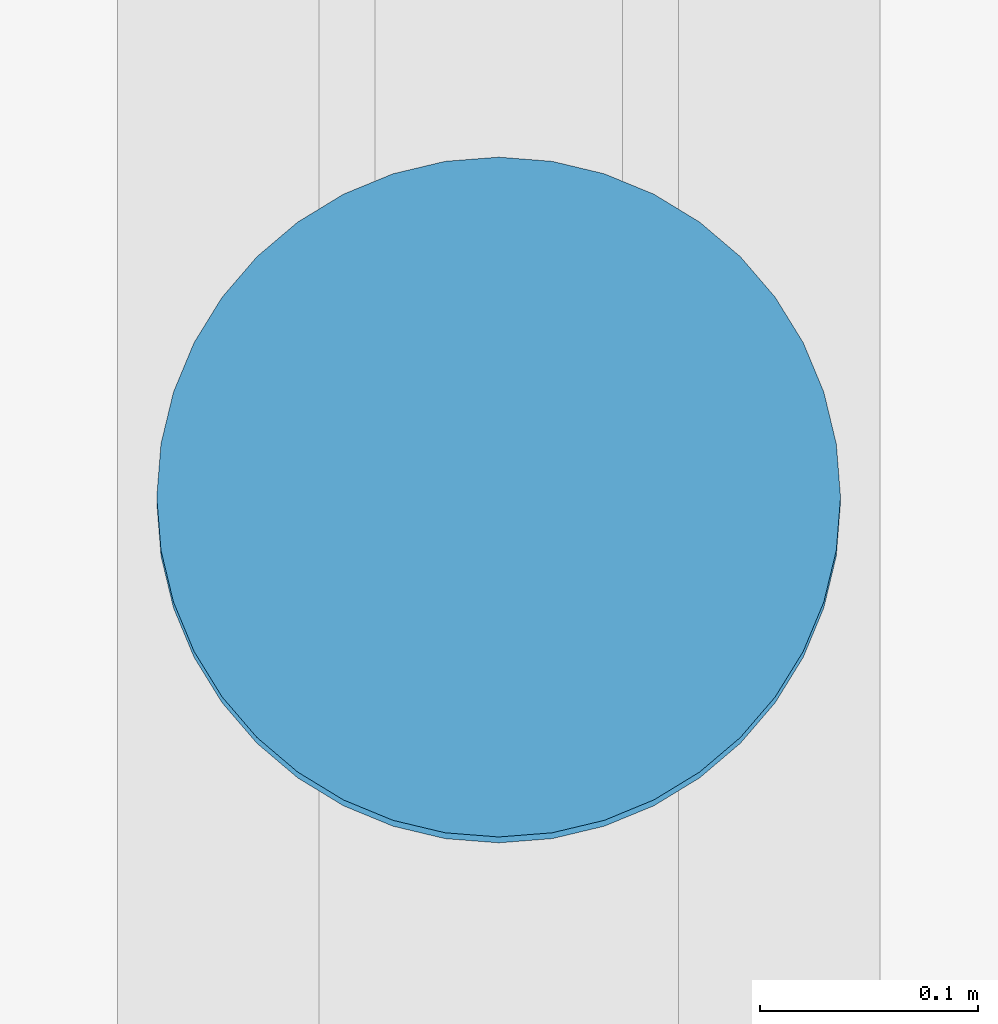
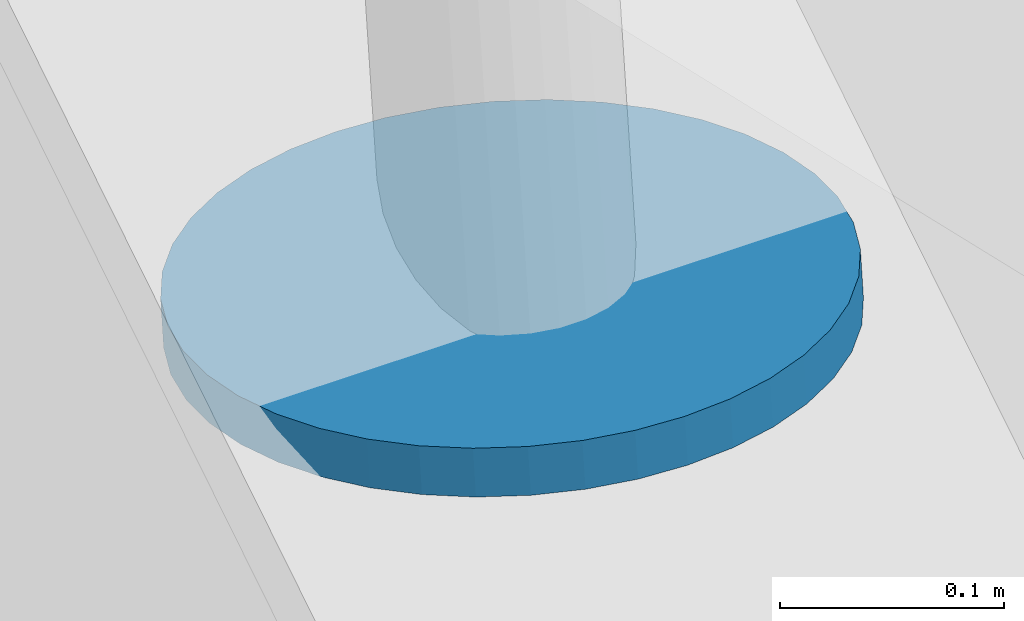
# One storey, part 16 of 25: 1 discrete accessory.
"""IFC4 building model written with IfcOpenShell, lengths in metres."""

import ifcopenshell
import ifcopenshell.guid

model = None  # the IFC model being written
_history = None  # IfcOwnerHistory: only IFC2X3 demands one
_inside = {}  # id of a spatial element -> (the spatial element, [elements in it])
_under = {}  # id of a project, library or spatial element -> (it, [spatial elements below it])
_declared = {}  # id of a project -> (the project, [libraries it declares])
_typed = {}  # id of a type object -> (the type object, [elements of that type])
_made_of = {}  # id of a material, layer set ... -> (it, [elements and type objects made of it])


def new_model(schema):
    """Start an empty IFC model of exactly this schema.

    Asked for "IFC4X3", IfcOpenShell would pick the latest addendum, in which some entities
    have other attributes; the version numbers below select the first issue.
    IFC2X3 requires an IfcOwnerHistory on every rooted entity: one is made here for all.
    """
    global model, _history
    if schema == "IFC4X3":
        model = ifcopenshell.file(schema_version=(4, 3, 0, 0))
    else:
        model = ifcopenshell.file(schema=schema)
    _inside.clear()
    _under.clear()
    _declared.clear()
    _typed.clear()
    _made_of.clear()
    _history = None
    if model.schema == "IFC2X3":
        org = make("IfcOrganization", Name="unknown")
        user = make(
            "IfcPersonAndOrganization",
            ThePerson=make("IfcPerson", FamilyName="unknown"),
            TheOrganization=org,
        )
        app = make(
            "IfcApplication",
            ApplicationDeveloper=org,
            Version="unknown",
            ApplicationFullName="unknown",
            ApplicationIdentifier="unknown",
        )
        _history = make(
            "IfcOwnerHistory",
            OwningUser=user,
            OwningApplication=app,
            ChangeAction="ADDED",
            CreationDate=0,
        )
    return model


def make(cls, **values):
    """One entity of the class cls with the attributes given. An attribute that is None is left unset."""
    return model.create_entity(
        cls, **{name: value for name, value in values.items() if value is not None}
    )


def rooted(cls, **values):
    """An entity with a GlobalId (a new one), such as an element, a storey or a relation."""
    return make(cls, GlobalId=ifcopenshell.guid.new(), OwnerHistory=_history, **values)


def si_unit(unit_type, name, prefix=None):
    """IfcSIUnit, for example si_unit("LENGTHUNIT", "METRE", prefix="MILLI")."""
    return make("IfcSIUnit", UnitType=unit_type, Prefix=prefix, Name=name)


def assignment(units):
    """IfcUnitAssignment: the units of a project."""
    return None if units is None else make("IfcUnitAssignment", Units=units)


def point(xyz):
    """IfcCartesianPoint."""
    return None if xyz is None else make("IfcCartesianPoint", Coordinates=xyz)


def direction(xyz):
    """IfcDirection."""
    return None if xyz is None else make("IfcDirection", DirectionRatios=xyz)


def frame(location, z_axis=None, x_axis=None):
    """IfcAxis2Placement3D, a coordinate frame: its origin and axes. An axis left out is left unset."""
    return make(
        "IfcAxis2Placement3D",
        Location=point(location),
        Axis=direction(z_axis),
        RefDirection=direction(x_axis),
    )


def frame_2d(location, x_axis=None):
    """IfcAxis2Placement2D, a coordinate frame in the plane: its origin and x axis."""
    return make(
        "IfcAxis2Placement2D", Location=point(location), RefDirection=direction(x_axis)
    )


def origin():
    """The frame at (0, 0, 0) with its axes left unset."""
    return frame((0.0, 0.0, 0.0))


def origin_2d():
    """The frame at (0, 0) in the plane with its x axis left unset."""
    return frame_2d((0.0, 0.0))


def place(relative_to, where):
    """IfcLocalPlacement: puts the frame where relative to a parent placement (None: the world)."""
    return make(
        "IfcLocalPlacement", PlacementRelTo=relative_to, RelativePlacement=where
    )


def context(
    kind, dimensions, precision=None, world=None, true_north=None, identifier=None
):
    """IfcGeometricRepresentationContext, for example the 3D "Model" context."""
    return make(
        "IfcGeometricRepresentationContext",
        ContextIdentifier=identifier,
        ContextType=kind,
        CoordinateSpaceDimension=dimensions,
        Precision=precision,
        WorldCoordinateSystem=world,
        TrueNorth=true_north,
    )


def subcontext(parent, identifier, kind, view, scale=None):
    """IfcGeometricRepresentationSubContext, for example "Body" below "Model"."""
    return make(
        "IfcGeometricRepresentationSubContext",
        ContextIdentifier=identifier,
        ContextType=kind,
        ParentContext=parent,
        TargetScale=scale,
        TargetView=view,
    )


def project(units=None, contexts=None):
    """IfcProject with its units and contexts."""
    return rooted(
        "IfcProject",
        Name="project",
        RepresentationContexts=contexts,
        UnitsInContext=assignment(units),
    )


def spatial(cls, under=None, at=None, **own):
    """A site, building, storey or space (cls), placed at a placement, below another one or the project."""
    s = rooted(cls, ObjectPlacement=at, **own)
    if under is not None:
        _under.setdefault(under.id(), (under, []))[1].append(s)
    return s


def profile(cls, at=None, kind="AREA", **sizes):
    """A parametric profile (cls). Its sizes go by their IFC names, for example OverallWidth=200.0."""
    return make(cls, ProfileType=kind, Position=at, **sizes)


def circle(**sizes):
    """IfcCircleProfileDef."""
    return profile("IfcCircleProfileDef", **sizes)


def extrude(swept, where, along, depth):
    """IfcExtrudedAreaSolid: the profile swept, set in the frame where, extruded along a direction by depth."""
    return make(
        "IfcExtrudedAreaSolid",
        SweptArea=swept,
        Position=where,
        ExtrudedDirection=direction(along),
        Depth=depth,
    )


def shape(context_of_items, identifier, shape_type, items):
    """IfcShapeRepresentation: the items that make up one representation, for example the "Body"."""
    return make(
        "IfcShapeRepresentation",
        ContextOfItems=context_of_items,
        RepresentationIdentifier=identifier,
        RepresentationType=shape_type,
        Items=items,
    )


def made_of(thing, what):
    """Note that an element or type object is made of a material, layer set ...; save() writes the relation."""
    if what is not None:
        _made_of.setdefault(what.id(), (what, []))[1].append(thing)
    return thing


def element(
    cls,
    number,
    at=None,
    inside=None,
    cuts=None,
    type_object=None,
    material=None,
    context=None,
    identifier="Body",
    shape_type=None,
    held_by="IfcProductDefinitionShape",
    body=None,
    shapes=None,
    **own,
):
    """One element of the class cls, such as IfcWall. Its Tag is "e" and its number.

    at: its placement. inside: the storey or other place that contains it. cuts: it is an
    opening in that element (IfcRelVoidsElement). A single representation is given by context,
    identifier, shape_type and body (its items); several are given by shapes. held_by: the class
    of the entity that holds the representations. save() writes the other relations.
    """
    e = rooted(cls, Tag="e%d" % number, ObjectPlacement=at, **own)
    if body is not None:
        shapes = [shape(context, identifier, shape_type, body)]
    if shapes is not None:
        e.Representation = make(held_by, Representations=shapes)
    if inside is not None:
        _inside.setdefault(inside.id(), (inside, []))[1].append(e)
    if cuts is not None:
        rooted(
            "IfcRelVoidsElement", RelatingBuildingElement=cuts, RelatedOpeningElement=e
        )
    if type_object is not None:
        _typed.setdefault(type_object.id(), (type_object, []))[1].append(e)
    return made_of(e, material)


def aggregate(whole, parts):
    """IfcRelAggregates: a whole, such as a stair, and the parts it consists of."""
    return rooted("IfcRelAggregates", RelatingObject=whole, RelatedObjects=parts)


def save(model, path):
    """Write the relations noted so far, then the file.

    IfcRelAggregates (storeys below a building ...), IfcRelContainedInSpatialStructure (elements
    in a storey), IfcRelDefinesByType, IfcRelAssociatesMaterial and IfcRelDeclares: one each for
    every whole, place, type object, material and project.
    """
    for whole, parts in _under.values():
        aggregate(whole, parts)
    for where, things in _inside.values():
        rooted(
            "IfcRelContainedInSpatialStructure",
            RelatedElements=things,
            RelatingStructure=where,
        )
    for kind, things in _typed.values():
        rooted("IfcRelDefinesByType", RelatedObjects=things, RelatingType=kind)
    for what, things in _made_of.values():
        rooted("IfcRelAssociatesMaterial", RelatedObjects=things, RelatingMaterial=what)
    for by, libraries in _declared.values():
        rooted("IfcRelDeclares", RelatingContext=by, RelatedDefinitions=libraries)
    model.write(path)


model = new_model("IFC4")

# Units and contexts
model_context = context("Model", 3, precision=1e-05, world=origin(), true_north=direction((0.0, 1.0)))
body_context = subcontext(model_context, "Body", "Model", "MODEL_VIEW")
ifc_project = project(units=[si_unit("LENGTHUNIT", "METRE"), si_unit("AREAUNIT", "SQUARE_METRE"), si_unit("VOLUMEUNIT", "CUBIC_METRE"), si_unit("PLANEANGLEUNIT", "RADIAN"), si_unit("MASSUNIT", "GRAM", prefix="KILO")], contexts=[model_context])

# Site, building, storey
site_placement = place(None, origin())
site = spatial("IfcSite", under=ifc_project, at=site_placement, CompositionType="ELEMENT")
building_placement = place(site_placement, origin())
building = spatial("IfcBuilding", under=site, at=building_placement, Name="Kolab Exchange Tower", CompositionType="ELEMENT")
storey_placement = place(building_placement, frame((0.0, 0.0, 301.89990234375)))
storey = spatial("IfcBuildingStorey", under=building, at=storey_placement, Name="L68", CompositionType="ELEMENT", Elevation=301.89990234375)

# Discrete accessory
discrete_accessory_placement = place(storey_placement, frame((0.0, 11.82763671875, 22.456298828125), z_axis=(0.0, -0.107221439342, -0.99423516481), x_axis=(1.0, 0.0, 0.0)))
element("IfcDiscreteAccessory", 1, at=discrete_accessory_placement, inside=storey, Name="Gusset plate", ObjectType="GUSSET PLATE", PredefinedType="USERDEFINED", context=body_context, shape_type="SweptSolid", body=[
    extrude(circle(Radius=0.156982421875, at=origin_2d()), origin(), (0.0, 0.0, 1.0), 0.025146484375),
])

save(model, "model.ifc")
